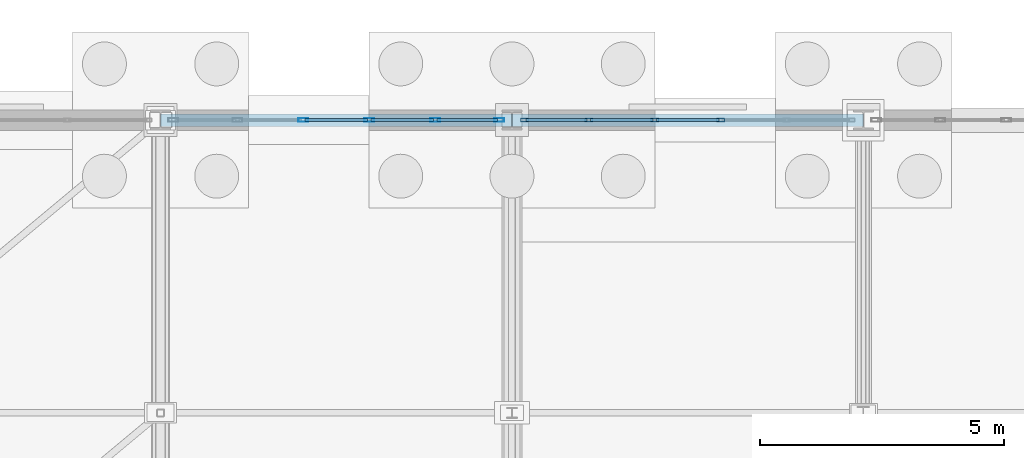
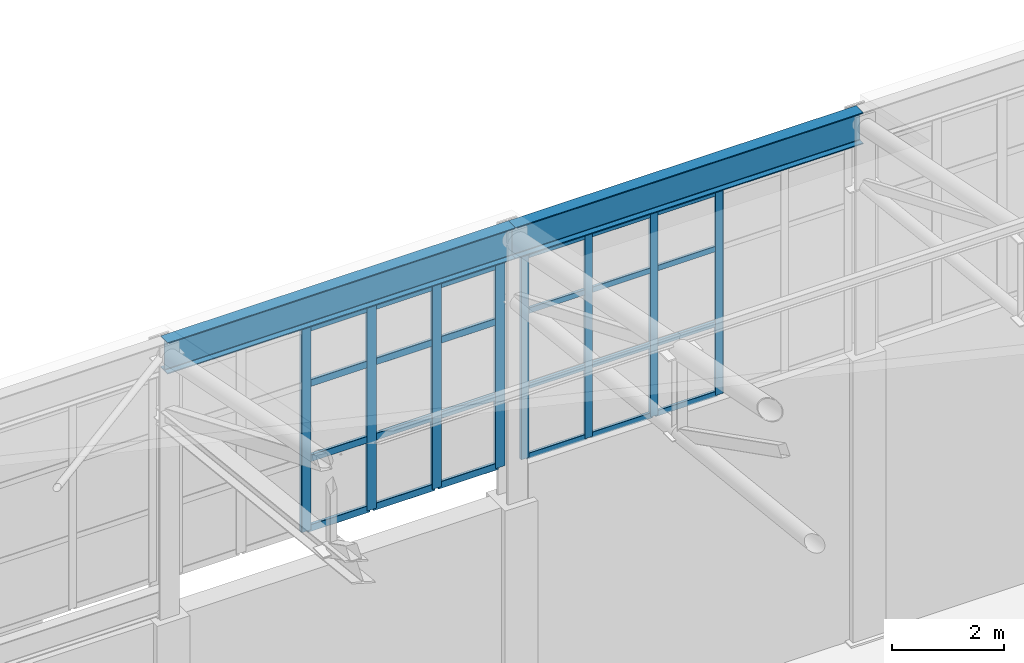
# One storey, part 217 of 293: 32 members, 2 beams, 2 elements without a shape of their own.
"""IFC4 building model written with IfcOpenShell, lengths in metres."""

from ifc_helpers import new_model, si_unit, direction, frame, origin, origin_2d, place, context, subcontext, project, spatial, hollow_rectangle, i_section, extrude, material, layer, layer_set, material_profile, profile_set, type_object, element, aggregate, save


model = new_model("IFC4")

# Units and contexts
model_context = context("Model", 3, precision=1e-05, world=origin(), true_north=direction((0.0, 1.0)))
body_context = subcontext(model_context, "Body", "Model", "MODEL_VIEW")
ifc_project = project(units=[si_unit("LENGTHUNIT", "METRE"), si_unit("AREAUNIT", "SQUARE_METRE"), si_unit("VOLUMEUNIT", "CUBIC_METRE"), si_unit("PLANEANGLEUNIT", "RADIAN"), si_unit("MASSUNIT", "GRAM", prefix="KILO")], contexts=[model_context])

# Site, building, storey
site_placement = place(None, origin())
site = spatial("IfcSite", under=ifc_project, at=site_placement, CompositionType="ELEMENT")
building_placement = place(site_placement, origin())
building = spatial("IfcBuilding", under=site, at=building_placement, Name="Kemerveld Promenade Tramway Depot", CompositionType="ELEMENT")
storey_placement = place(building_placement, origin())
storey = spatial("IfcBuildingStorey", under=building, at=storey_placement, Name="L00", CompositionType="ELEMENT", Elevation=0.0)

# Beams
ifc_material_1 = material(Name="Steel S355", Category="steel")
ifc_material_profile_1 = material_profile(ifc_material_1, i_section(OverallWidth=0.25439453125, OverallDepth=0.6875, WebThickness=0.01318359375, FlangeThickness=0.02099609375, FilletRadius=0.01513671875, at=origin_2d()), Name="686x254x152 UB")
ifc_profile_set_1 = profile_set([ifc_material_profile_1], Name="Steel S355")
beam_type = type_object("IfcBeamType", Name="BM-G03", PredefinedType="BEAM", material=ifc_profile_set_1)
beam_1_placement = place(storey_placement, frame((115.199951171875, 144.0, 11.056396484375), z_axis=(1.0, 0.0, 0.0), x_axis=(0.0, 1.0, 0.0)))
element("IfcBeam", 1, at=beam_1_placement, inside=storey, type_object=beam_type, Name="BM-SHED-EAVE-U-17", PredefinedType="BEAM", context=body_context, shape_type="SweptSolid", body=[
    extrude(i_section(OverallWidth=0.25439453125, OverallDepth=0.6875, WebThickness=0.01318359375, FlangeThickness=0.02099609375, FilletRadius=0.01513671875, at=origin_2d()), origin(), (0.0, 0.0, 1.0), 7.199951171875),
])
beam_2_placement = place(storey_placement, frame((122.39990234375, 144.0, 11.056396484375), z_axis=(1.0, 0.0, 0.0), x_axis=(0.0, 1.0, 0.0)))
element("IfcBeam", 2, at=beam_2_placement, inside=storey, type_object=beam_type, Name="BM-SHED-EAVE-U-18", PredefinedType="BEAM", context=body_context, shape_type="SweptSolid", body=[
    extrude(i_section(OverallWidth=0.25439453125, OverallDepth=0.6875, WebThickness=0.01318359375, FlangeThickness=0.02099609375, FilletRadius=0.01513671875, at=origin_2d()), origin(), (0.0, 0.0, 1.0), 7.2001953125),
])

# Curtain wall, members
ifc_material_2 = material(Name="Bronze anodised aluminium and solar glass", Category="aluminium")
ifc_layer_1 = layer(ifc_material_2, 0.159912109375)
ifc_layer_set_1 = layer_set([ifc_layer_1], Name="CW-SYS-13")
curtain_wall_type_1 = type_object("IfcCurtainWallType", Name="CW-SYS-13", PredefinedType="USERDEFINED", material=ifc_layer_set_1)
curtain_wall_1_placement = place(storey_placement, origin())
curtain_wall_1 = element("IfcCurtainWall", 3, at=curtain_wall_1_placement, inside=storey, type_object=curtain_wall_type_1, Name="CW-V1-N-13", ObjectType="GLAZED_CURTAIN_WALL", PredefinedType="USERDEFINED")
ifc_material_3 = material(Name="Bronze anodised aluminium", Category="aluminium")
ifc_material_profile_2 = material_profile(ifc_material_3, hollow_rectangle(XDim=0.06494140625, YDim=0.159912109375, WallThickness=0.00390625, InnerFilletRadius=0.001953125, OuterFilletRadius=0.00390625, at=origin_2d()), Name="CW-MUL-160x65")
ifc_profile_set_2 = profile_set([ifc_material_profile_2], Name="Bronze anodised aluminium")
member_type_1 = type_object("IfcMemberType", Name="CW-MUL-A", PredefinedType="MULLION", material=ifc_profile_set_2)
member_1_placement = place(storey_placement, frame((122.65576171875, 144.0, 6.199951171875), z_axis=(0.0, 0.0, 1.0), x_axis=(0.0, 1.0, 0.0)))
member_1 = element("IfcMember", 4, at=member_1_placement, type_object=member_type_1, Name="CW13 mullion 1", PredefinedType="MULLION", context=body_context, shape_type="SweptSolid", body=[
    extrude(hollow_rectangle(XDim=0.06494140625, YDim=0.159912109375, WallThickness=0.00390625, InnerFilletRadius=0.001953125, OuterFilletRadius=0.00390625, at=origin_2d()), origin(), (0.0, 0.0, 1.0), 4.449951171875),
])
member_2_placement = place(storey_placement, frame((123.973876953125, 144.0, 6.199951171875), z_axis=(0.0, 0.0, 1.0), x_axis=(0.0, 1.0, 0.0)))
member_2 = element("IfcMember", 5, at=member_2_placement, type_object=member_type_1, Name="CW13 mullion 2", PredefinedType="MULLION", context=body_context, shape_type="SweptSolid", body=[
    extrude(hollow_rectangle(XDim=0.06494140625, YDim=0.159912109375, WallThickness=0.00390625, InnerFilletRadius=0.001953125, OuterFilletRadius=0.00390625, at=origin_2d()), origin(), (0.0, 0.0, 1.0), 4.449951171875),
])
member_3_placement = place(storey_placement, frame((125.32470703125, 144.0, 6.199951171875), z_axis=(0.0, 0.0, 1.0), x_axis=(0.0, 1.0, 0.0)))
member_3 = element("IfcMember", 6, at=member_3_placement, type_object=member_type_1, Name="CW13 mullion 3", PredefinedType="MULLION", context=body_context, shape_type="SweptSolid", body=[
    extrude(hollow_rectangle(XDim=0.06494140625, YDim=0.159912109375, WallThickness=0.00390625, InnerFilletRadius=0.001953125, OuterFilletRadius=0.00390625, at=origin_2d()), origin(), (0.0, 0.0, 1.0), 4.449951171875),
])
member_4_placement = place(storey_placement, frame((126.67529296875, 144.0, 6.199951171875), z_axis=(0.0, 0.0, 1.0), x_axis=(0.0, 1.0, 0.0)))
member_4 = element("IfcMember", 7, at=member_4_placement, type_object=member_type_1, Name="CW13 mullion 4", PredefinedType="MULLION", context=body_context, shape_type="SweptSolid", body=[
    extrude(hollow_rectangle(XDim=0.06494140625, YDim=0.159912109375, WallThickness=0.00390625, InnerFilletRadius=0.001953125, OuterFilletRadius=0.00390625, at=origin_2d()), origin(), (0.0, 0.0, 1.0), 4.449951171875),
])

ifc_layer_2 = layer(ifc_material_2, 0.199951171875)
ifc_layer_set_2 = layer_set([ifc_layer_2], Name="CW-SYS-12")
curtain_wall_type_2 = type_object("IfcCurtainWallType", Name="CW-SYS-12", PredefinedType="USERDEFINED", material=ifc_layer_set_2)
curtain_wall_2_placement = place(storey_placement, origin())
curtain_wall_2 = element("IfcCurtainWall", 8, at=curtain_wall_2_placement, inside=storey, type_object=curtain_wall_type_2, Name="CW-V1-N-12", ObjectType="GLAZED_CURTAIN_WALL", PredefinedType="USERDEFINED")
ifc_material_profile_3 = material_profile(ifc_material_3, hollow_rectangle(XDim=0.074951171875, YDim=0.199951171875, WallThickness=0.0048828125, InnerFilletRadius=0.001953125, OuterFilletRadius=0.0048828125, at=origin_2d()), Name="CW-MUL-200x75")
ifc_profile_set_3 = profile_set([ifc_material_profile_3], Name="Bronze anodised aluminium")
member_type_2 = type_object("IfcMemberType", Name="CW-MUL-B", PredefinedType="MULLION", material=ifc_profile_set_3)
member_5_placement = place(storey_placement, frame((118.124755859375, 144.0, 6.199951171875), z_axis=(0.0, 0.0, 1.0), x_axis=(0.0, 1.0, 0.0)))
member_5 = element("IfcMember", 9, at=member_5_placement, type_object=member_type_2, Name="CW12 mullion 3", PredefinedType="MULLION", context=body_context, shape_type="SweptSolid", body=[
    extrude(hollow_rectangle(XDim=0.074951171875, YDim=0.199951171875, WallThickness=0.0048828125, InnerFilletRadius=0.001953125, OuterFilletRadius=0.0048828125, at=origin_2d()), origin(), (0.0, 0.0, 1.0), 4.449951171875),
])
member_6_placement = place(storey_placement, frame((119.475341796875, 144.0, 6.199951171875), z_axis=(0.0, 0.0, 1.0), x_axis=(0.0, 1.0, 0.0)))
member_6 = element("IfcMember", 10, at=member_6_placement, type_object=member_type_2, Name="CW12 mullion 4", PredefinedType="MULLION", context=body_context, shape_type="SweptSolid", body=[
    extrude(hollow_rectangle(XDim=0.074951171875, YDim=0.199951171875, WallThickness=0.0048828125, InnerFilletRadius=0.001953125, OuterFilletRadius=0.0048828125, at=origin_2d()), origin(), (0.0, 0.0, 1.0), 4.449951171875),
])
member_7_placement = place(storey_placement, frame((120.826171875, 144.0, 6.199951171875), z_axis=(0.0, 0.0, 1.0), x_axis=(0.0, 1.0, 0.0)))
member_7 = element("IfcMember", 11, at=member_7_placement, type_object=member_type_2, Name="CW12 mullion 5", PredefinedType="MULLION", context=body_context, shape_type="SweptSolid", body=[
    extrude(hollow_rectangle(XDim=0.074951171875, YDim=0.199951171875, WallThickness=0.0048828125, InnerFilletRadius=0.001953125, OuterFilletRadius=0.0048828125, at=origin_2d()), origin(), (0.0, 0.0, 1.0), 4.449951171875),
])
member_8_placement = place(storey_placement, frame((122.139404296875, 144.0, 6.199951171875), z_axis=(0.0, 0.0, 1.0), x_axis=(0.0, 1.0, 0.0)))
member_8 = element("IfcMember", 12, at=member_8_placement, type_object=member_type_2, Name="CW12 mullion 6", PredefinedType="MULLION", context=body_context, shape_type="SweptSolid", body=[
    extrude(hollow_rectangle(XDim=0.074951171875, YDim=0.199951171875, WallThickness=0.0048828125, InnerFilletRadius=0.001953125, OuterFilletRadius=0.0048828125, at=origin_2d()), origin(), (0.0, 0.0, 1.0), 4.449951171875),
])

# Member
ifc_material_profile_4 = material_profile(ifc_material_3, hollow_rectangle(XDim=0.06005859375, YDim=0.1201171875, WallThickness=0.00390625, InnerFilletRadius=0.001953125, OuterFilletRadius=0.00390625, at=origin_2d()), Name="CW-TRN-120x60")
ifc_profile_set_4 = profile_set([ifc_material_profile_4], Name="Bronze anodised aluminium")
member_type_3 = type_object("IfcMemberType", Name="CW-TRN-A", PredefinedType="USERDEFINED", material=ifc_profile_set_4)
member_9_placement = place(storey_placement, frame((122.688232421875, 144.0, 6.22998046875), z_axis=(1.0, 0.0, 0.0), x_axis=(0.0, 1.0, 0.0)))
member_9 = element("IfcMember", 13, at=member_9_placement, type_object=member_type_3, Name="CW13 transom 1.1", ObjectType="TRANSOM", PredefinedType="USERDEFINED", context=body_context, shape_type="SweptSolid", body=[
    extrude(hollow_rectangle(XDim=0.06005859375, YDim=0.1201171875, WallThickness=0.00390625, InnerFilletRadius=0.001953125, OuterFilletRadius=0.00390625, at=origin_2d()), origin(), (0.0, 0.0, 1.0), 1.253173828125),
])

member_10_placement = place(storey_placement, frame((122.688232421875, 144.0, 7.758056640625), z_axis=(1.0, 0.0, 0.0), x_axis=(0.0, 1.0, 0.0)))
member_10 = element("IfcMember", 14, at=member_10_placement, type_object=member_type_3, Name="CW13 transom 1.2", ObjectType="TRANSOM", PredefinedType="USERDEFINED", context=body_context, shape_type="SweptSolid", body=[
    extrude(hollow_rectangle(XDim=0.06005859375, YDim=0.1201171875, WallThickness=0.00390625, InnerFilletRadius=0.001953125, OuterFilletRadius=0.00390625, at=origin_2d()), origin(), (0.0, 0.0, 1.0), 1.253173828125),
])

member_11_placement = place(storey_placement, frame((122.688232421875, 144.0, 9.404052734375), z_axis=(1.0, 0.0, 0.0), x_axis=(0.0, 1.0, 0.0)))
member_11 = element("IfcMember", 15, at=member_11_placement, type_object=member_type_3, Name="CW13 transom 1.3", ObjectType="TRANSOM", PredefinedType="USERDEFINED", context=body_context, shape_type="SweptSolid", body=[
    extrude(hollow_rectangle(XDim=0.06005859375, YDim=0.1201171875, WallThickness=0.00390625, InnerFilletRadius=0.001953125, OuterFilletRadius=0.00390625, at=origin_2d()), origin(), (0.0, 0.0, 1.0), 1.253173828125),
])

member_12_placement = place(storey_placement, frame((122.688232421875, 144.0, 10.6201171875), z_axis=(1.0, 0.0, 0.0), x_axis=(0.0, 1.0, 0.0)))
member_12 = element("IfcMember", 16, at=member_12_placement, type_object=member_type_3, Name="CW13 transom 1.4", ObjectType="TRANSOM", PredefinedType="USERDEFINED", context=body_context, shape_type="SweptSolid", body=[
    extrude(hollow_rectangle(XDim=0.06005859375, YDim=0.1201171875, WallThickness=0.00390625, InnerFilletRadius=0.001953125, OuterFilletRadius=0.00390625, at=origin_2d()), origin(), (0.0, 0.0, 1.0), 1.253173828125),
])

member_13_placement = place(storey_placement, frame((124.00634765625, 144.0, 6.22998046875), z_axis=(1.0, 0.0, 0.0), x_axis=(0.0, 1.0, 0.0)))
member_13 = element("IfcMember", 17, at=member_13_placement, type_object=member_type_3, Name="CW13 transom 2.1", ObjectType="TRANSOM", PredefinedType="USERDEFINED", context=body_context, shape_type="SweptSolid", body=[
    extrude(hollow_rectangle(XDim=0.06005859375, YDim=0.1201171875, WallThickness=0.00390625, InnerFilletRadius=0.001953125, OuterFilletRadius=0.00390625, at=origin_2d()), origin(), (0.0, 0.0, 1.0), 1.285888671875),
])

member_14_placement = place(storey_placement, frame((124.00634765625, 144.0, 7.758056640625), z_axis=(1.0, 0.0, 0.0), x_axis=(0.0, 1.0, 0.0)))
member_14 = element("IfcMember", 18, at=member_14_placement, type_object=member_type_3, Name="CW13 transom 2.2", ObjectType="TRANSOM", PredefinedType="USERDEFINED", context=body_context, shape_type="SweptSolid", body=[
    extrude(hollow_rectangle(XDim=0.06005859375, YDim=0.1201171875, WallThickness=0.00390625, InnerFilletRadius=0.001953125, OuterFilletRadius=0.00390625, at=origin_2d()), origin(), (0.0, 0.0, 1.0), 1.285888671875),
])

member_15_placement = place(storey_placement, frame((124.00634765625, 144.0, 9.404052734375), z_axis=(1.0, 0.0, 0.0), x_axis=(0.0, 1.0, 0.0)))
member_15 = element("IfcMember", 19, at=member_15_placement, type_object=member_type_3, Name="CW13 transom 2.3", ObjectType="TRANSOM", PredefinedType="USERDEFINED", context=body_context, shape_type="SweptSolid", body=[
    extrude(hollow_rectangle(XDim=0.06005859375, YDim=0.1201171875, WallThickness=0.00390625, InnerFilletRadius=0.001953125, OuterFilletRadius=0.00390625, at=origin_2d()), origin(), (0.0, 0.0, 1.0), 1.285888671875),
])

member_16_placement = place(storey_placement, frame((124.00634765625, 144.0, 10.6201171875), z_axis=(1.0, 0.0, 0.0), x_axis=(0.0, 1.0, 0.0)))
member_16 = element("IfcMember", 20, at=member_16_placement, type_object=member_type_3, Name="CW13 transom 2.4", ObjectType="TRANSOM", PredefinedType="USERDEFINED", context=body_context, shape_type="SweptSolid", body=[
    extrude(hollow_rectangle(XDim=0.06005859375, YDim=0.1201171875, WallThickness=0.00390625, InnerFilletRadius=0.001953125, OuterFilletRadius=0.00390625, at=origin_2d()), origin(), (0.0, 0.0, 1.0), 1.285888671875),
])

member_17_placement = place(storey_placement, frame((125.357177734375, 144.0, 6.22998046875), z_axis=(1.0, 0.0, 0.0), x_axis=(0.0, 1.0, 0.0)))
member_17 = element("IfcMember", 21, at=member_17_placement, type_object=member_type_3, Name="CW13 transom 3.1", ObjectType="TRANSOM", PredefinedType="USERDEFINED", context=body_context, shape_type="SweptSolid", body=[
    extrude(hollow_rectangle(XDim=0.06005859375, YDim=0.1201171875, WallThickness=0.00390625, InnerFilletRadius=0.001953125, OuterFilletRadius=0.00390625, at=origin_2d()), origin(), (0.0, 0.0, 1.0), 1.28564453125),
])

member_18_placement = place(storey_placement, frame((125.357177734375, 144.0, 7.758056640625), z_axis=(1.0, 0.0, 0.0), x_axis=(0.0, 1.0, 0.0)))
member_18 = element("IfcMember", 22, at=member_18_placement, type_object=member_type_3, Name="CW13 transom 3.2", ObjectType="TRANSOM", PredefinedType="USERDEFINED", context=body_context, shape_type="SweptSolid", body=[
    extrude(hollow_rectangle(XDim=0.06005859375, YDim=0.1201171875, WallThickness=0.00390625, InnerFilletRadius=0.001953125, OuterFilletRadius=0.00390625, at=origin_2d()), origin(), (0.0, 0.0, 1.0), 1.28564453125),
])

member_19_placement = place(storey_placement, frame((125.357177734375, 144.0, 9.404052734375), z_axis=(1.0, 0.0, 0.0), x_axis=(0.0, 1.0, 0.0)))
member_19 = element("IfcMember", 23, at=member_19_placement, type_object=member_type_3, Name="CW13 transom 3.3", ObjectType="TRANSOM", PredefinedType="USERDEFINED", context=body_context, shape_type="SweptSolid", body=[
    extrude(hollow_rectangle(XDim=0.06005859375, YDim=0.1201171875, WallThickness=0.00390625, InnerFilletRadius=0.001953125, OuterFilletRadius=0.00390625, at=origin_2d()), origin(), (0.0, 0.0, 1.0), 1.28564453125),
])

member_20_placement = place(storey_placement, frame((125.357177734375, 144.0, 10.6201171875), z_axis=(1.0, 0.0, 0.0), x_axis=(0.0, 1.0, 0.0)))
member_20 = element("IfcMember", 24, at=member_20_placement, type_object=member_type_3, Name="CW13 transom 3.4", ObjectType="TRANSOM", PredefinedType="USERDEFINED", context=body_context, shape_type="SweptSolid", body=[
    extrude(hollow_rectangle(XDim=0.06005859375, YDim=0.1201171875, WallThickness=0.00390625, InnerFilletRadius=0.001953125, OuterFilletRadius=0.00390625, at=origin_2d()), origin(), (0.0, 0.0, 1.0), 1.28564453125),
])

aggregate(curtain_wall_1, [member_1, member_2, member_3, member_4, member_9, member_10, member_11, member_12, member_13, member_14, member_15, member_16, member_17, member_18, member_19, member_20])

ifc_material_profile_5 = material_profile(ifc_material_3, hollow_rectangle(XDim=0.06494140625, YDim=0.14990234375, WallThickness=0.00439453125, InnerFilletRadius=0.001953125, OuterFilletRadius=0.00439453125, at=origin_2d()), Name="CW-TRN-150x65")
ifc_profile_set_5 = profile_set([ifc_material_profile_5], Name="Bronze anodised aluminium")
member_type_4 = type_object("IfcMemberType", Name="CW-TRN-B", PredefinedType="USERDEFINED", material=ifc_profile_set_5)
member_21_placement = place(storey_placement, frame((118.162109375, 144.0, 6.232421875), z_axis=(1.0, 0.0, 0.0), x_axis=(0.0, 1.0, 0.0)))
member_21 = element("IfcMember", 25, at=member_21_placement, type_object=member_type_4, Name="CW12 transom 3.1", ObjectType="TRANSOM", PredefinedType="USERDEFINED", context=body_context, shape_type="SweptSolid", body=[
    extrude(hollow_rectangle(XDim=0.06494140625, YDim=0.14990234375, WallThickness=0.00439453125, InnerFilletRadius=0.001953125, OuterFilletRadius=0.00439453125, at=origin_2d()), origin(), (0.0, 0.0, 1.0), 1.275634765625),
])

member_22_placement = place(storey_placement, frame((118.162109375, 144.0, 7.758056640625), z_axis=(1.0, 0.0, 0.0), x_axis=(0.0, 1.0, 0.0)))
member_22 = element("IfcMember", 26, at=member_22_placement, type_object=member_type_4, Name="CW12 transom 3.2", ObjectType="TRANSOM", PredefinedType="USERDEFINED", context=body_context, shape_type="SweptSolid", body=[
    extrude(hollow_rectangle(XDim=0.06494140625, YDim=0.14990234375, WallThickness=0.00439453125, InnerFilletRadius=0.001953125, OuterFilletRadius=0.00439453125, at=origin_2d()), origin(), (0.0, 0.0, 1.0), 1.275634765625),
])

member_23_placement = place(storey_placement, frame((118.162109375, 144.0, 9.404052734375), z_axis=(1.0, 0.0, 0.0), x_axis=(0.0, 1.0, 0.0)))
member_23 = element("IfcMember", 27, at=member_23_placement, type_object=member_type_4, Name="CW12 transom 3.3", ObjectType="TRANSOM", PredefinedType="USERDEFINED", context=body_context, shape_type="SweptSolid", body=[
    extrude(hollow_rectangle(XDim=0.06494140625, YDim=0.14990234375, WallThickness=0.00439453125, InnerFilletRadius=0.001953125, OuterFilletRadius=0.00439453125, at=origin_2d()), origin(), (0.0, 0.0, 1.0), 1.275634765625),
])

member_24_placement = place(storey_placement, frame((118.162109375, 144.0, 10.617431640625), z_axis=(1.0, 0.0, 0.0), x_axis=(0.0, 1.0, 0.0)))
member_24 = element("IfcMember", 28, at=member_24_placement, type_object=member_type_4, Name="CW12 transom 3.4", ObjectType="TRANSOM", PredefinedType="USERDEFINED", context=body_context, shape_type="SweptSolid", body=[
    extrude(hollow_rectangle(XDim=0.06494140625, YDim=0.14990234375, WallThickness=0.00439453125, InnerFilletRadius=0.001953125, OuterFilletRadius=0.00439453125, at=origin_2d()), origin(), (0.0, 0.0, 1.0), 1.275634765625),
])

member_25_placement = place(storey_placement, frame((119.512939453125, 144.0, 6.232421875), z_axis=(1.0, 0.0, 0.0), x_axis=(0.0, 1.0, 0.0)))
member_25 = element("IfcMember", 29, at=member_25_placement, type_object=member_type_4, Name="CW12 transom 4.1", ObjectType="TRANSOM", PredefinedType="USERDEFINED", context=body_context, shape_type="SweptSolid", body=[
    extrude(hollow_rectangle(XDim=0.06494140625, YDim=0.14990234375, WallThickness=0.00439453125, InnerFilletRadius=0.001953125, OuterFilletRadius=0.00439453125, at=origin_2d()), origin(), (0.0, 0.0, 1.0), 1.275634765625),
])

member_26_placement = place(storey_placement, frame((119.512939453125, 144.0, 7.758056640625), z_axis=(1.0, 0.0, 0.0), x_axis=(0.0, 1.0, 0.0)))
member_26 = element("IfcMember", 30, at=member_26_placement, type_object=member_type_4, Name="CW12 transom 4.2", ObjectType="TRANSOM", PredefinedType="USERDEFINED", context=body_context, shape_type="SweptSolid", body=[
    extrude(hollow_rectangle(XDim=0.06494140625, YDim=0.14990234375, WallThickness=0.00439453125, InnerFilletRadius=0.001953125, OuterFilletRadius=0.00439453125, at=origin_2d()), origin(), (0.0, 0.0, 1.0), 1.275634765625),
])

member_27_placement = place(storey_placement, frame((119.512939453125, 144.0, 9.404052734375), z_axis=(1.0, 0.0, 0.0), x_axis=(0.0, 1.0, 0.0)))
member_27 = element("IfcMember", 31, at=member_27_placement, type_object=member_type_4, Name="CW12 transom 4.3", ObjectType="TRANSOM", PredefinedType="USERDEFINED", context=body_context, shape_type="SweptSolid", body=[
    extrude(hollow_rectangle(XDim=0.06494140625, YDim=0.14990234375, WallThickness=0.00439453125, InnerFilletRadius=0.001953125, OuterFilletRadius=0.00439453125, at=origin_2d()), origin(), (0.0, 0.0, 1.0), 1.275634765625),
])

member_28_placement = place(storey_placement, frame((119.512939453125, 144.0, 10.617431640625), z_axis=(1.0, 0.0, 0.0), x_axis=(0.0, 1.0, 0.0)))
member_28 = element("IfcMember", 32, at=member_28_placement, type_object=member_type_4, Name="CW12 transom 4.4", ObjectType="TRANSOM", PredefinedType="USERDEFINED", context=body_context, shape_type="SweptSolid", body=[
    extrude(hollow_rectangle(XDim=0.06494140625, YDim=0.14990234375, WallThickness=0.00439453125, InnerFilletRadius=0.001953125, OuterFilletRadius=0.00439453125, at=origin_2d()), origin(), (0.0, 0.0, 1.0), 1.275634765625),
])

member_29_placement = place(storey_placement, frame((120.863525390625, 144.0, 6.232421875), z_axis=(1.0, 0.0, 0.0), x_axis=(0.0, 1.0, 0.0)))
member_29 = element("IfcMember", 33, at=member_29_placement, type_object=member_type_4, Name="CW12 transom 5.1", ObjectType="TRANSOM", PredefinedType="USERDEFINED", context=body_context, shape_type="SweptSolid", body=[
    extrude(hollow_rectangle(XDim=0.06494140625, YDim=0.14990234375, WallThickness=0.00439453125, InnerFilletRadius=0.001953125, OuterFilletRadius=0.00439453125, at=origin_2d()), origin(), (0.0, 0.0, 1.0), 1.23828125),
])

member_30_placement = place(storey_placement, frame((120.863525390625, 144.0, 7.758056640625), z_axis=(1.0, 0.0, 0.0), x_axis=(0.0, 1.0, 0.0)))
member_30 = element("IfcMember", 34, at=member_30_placement, type_object=member_type_4, Name="CW12 transom 5.2", ObjectType="TRANSOM", PredefinedType="USERDEFINED", context=body_context, shape_type="SweptSolid", body=[
    extrude(hollow_rectangle(XDim=0.06494140625, YDim=0.14990234375, WallThickness=0.00439453125, InnerFilletRadius=0.001953125, OuterFilletRadius=0.00439453125, at=origin_2d()), origin(), (0.0, 0.0, 1.0), 1.23828125),
])

member_31_placement = place(storey_placement, frame((120.863525390625, 144.0, 9.404052734375), z_axis=(1.0, 0.0, 0.0), x_axis=(0.0, 1.0, 0.0)))
member_31 = element("IfcMember", 35, at=member_31_placement, type_object=member_type_4, Name="CW12 transom 5.3", ObjectType="TRANSOM", PredefinedType="USERDEFINED", context=body_context, shape_type="SweptSolid", body=[
    extrude(hollow_rectangle(XDim=0.06494140625, YDim=0.14990234375, WallThickness=0.00439453125, InnerFilletRadius=0.001953125, OuterFilletRadius=0.00439453125, at=origin_2d()), origin(), (0.0, 0.0, 1.0), 1.23828125),
])

member_32_placement = place(storey_placement, frame((120.863525390625, 144.0, 10.617431640625), z_axis=(1.0, 0.0, 0.0), x_axis=(0.0, 1.0, 0.0)))
member_32 = element("IfcMember", 36, at=member_32_placement, type_object=member_type_4, Name="CW12 transom 5.4", ObjectType="TRANSOM", PredefinedType="USERDEFINED", context=body_context, shape_type="SweptSolid", body=[
    extrude(hollow_rectangle(XDim=0.06494140625, YDim=0.14990234375, WallThickness=0.00439453125, InnerFilletRadius=0.001953125, OuterFilletRadius=0.00439453125, at=origin_2d()), origin(), (0.0, 0.0, 1.0), 1.23828125),
])

aggregate(curtain_wall_2, [member_5, member_6, member_7, member_8, member_21, member_22, member_23, member_24, member_25, member_26, member_27, member_28, member_29, member_30, member_31, member_32])

save(model, "model.ifc")
